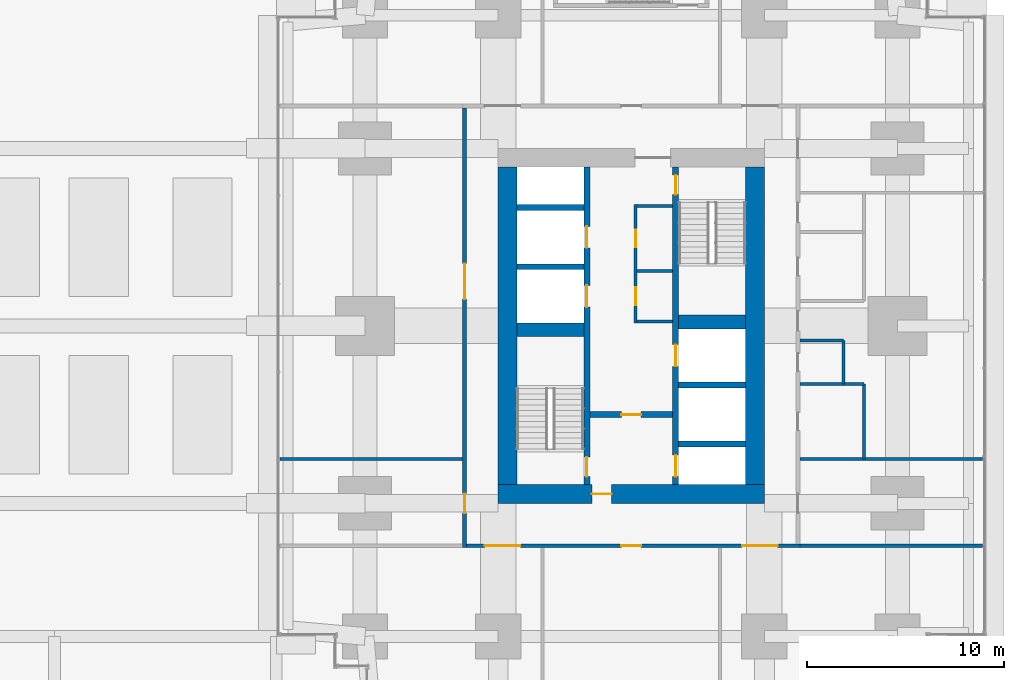
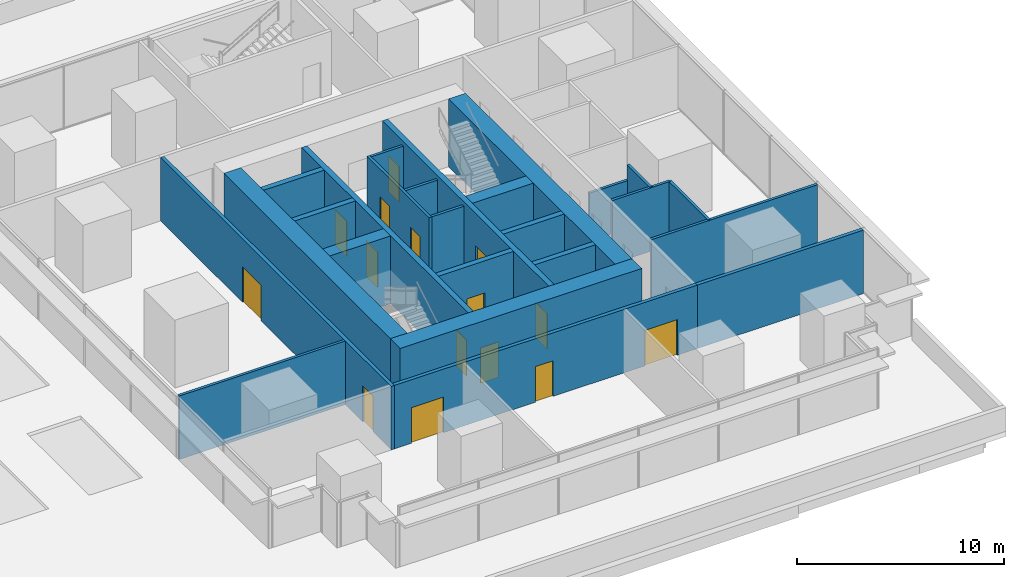
# One storey, part 29 of 34: 25 walls, 15 doors, 15 openings.
"""IFC4 building model written with IfcOpenShell, lengths in metres."""

from ifc_helpers import new_model, si_unit, direction, frame, frame_2d, origin, place, context, subcontext, project, spatial, rectangle, extrude, material, layer, layer_set, type_object, element, fill, save


model = new_model("IFC4")

# Units and contexts
model_context = context("Model", 3, precision=1e-05, world=origin(), true_north=direction((0.0, 1.0)))
body_context = subcontext(model_context, "Body", "Model", "MODEL_VIEW")
ifc_project = project(units=[si_unit("LENGTHUNIT", "METRE"), si_unit("AREAUNIT", "SQUARE_METRE"), si_unit("VOLUMEUNIT", "CUBIC_METRE"), si_unit("PLANEANGLEUNIT", "RADIAN"), si_unit("MASSUNIT", "GRAM", prefix="KILO")], contexts=[model_context])

# Site, building, storey
site_placement = place(None, origin())
site = spatial("IfcSite", under=ifc_project, at=site_placement, CompositionType="ELEMENT")
building_placement = place(site_placement, origin())
building = spatial("IfcBuilding", under=site, at=building_placement, Name="Namib Vertical Campus", CompositionType="ELEMENT")
storey_placement = place(building_placement, frame((0.0, 0.0, 21.0)))
storey = spatial("IfcBuildingStorey", under=building, at=storey_placement, Name="L04", CompositionType="ELEMENT", Elevation=21.0)

# Wall, openings, doors
ifc_material_1 = material(Name="Concrete C60/75", Category="concrete")
ifc_layer_1 = layer(ifc_material_1, 0.300048828125)
ifc_layer_set_1 = layer_set([ifc_layer_1], Name="Concrete C60/75")
wall_type_1 = type_object("IfcWallType", Name="Core inner wall 300", PredefinedType="SHEAR", material=ifc_layer_set_1)
wall_1_placement = place(storey_placement, frame((78.75, 12.199951171875, 0.0), z_axis=(0.0, 0.0, 1.0), x_axis=(0.0, 1.0, 0.0)))
wall_1 = element("IfcWall", 1, at=wall_1_placement, inside=storey, type_object=wall_type_1, Name="Core inner wall B L04 W1", PredefinedType="SHEAR", context=body_context, shape_type="SweptSolid", body=[
    extrude(rectangle(XDim=16.10009765625, YDim=0.300048828125, at=frame_2d((8.050048828125, 0.0))), origin(), (0.0, 0.0, 1.0), 4.0),
])
opening_1_placement = place(wall_1_placement, frame((0.39990234375, 0.0, 0.0)))
opening_1 = element("IfcOpeningElement", 2, at=opening_1_placement, cuts=wall_1, Name="Opening FD1", PredefinedType="OPENING", context=body_context, shape_type="SweptSolid", body=[
    extrude(rectangle(XDim=1.0, YDim=2.10009765625, at=frame_2d((0.5, 1.050048828125))), frame((0.0, 0.159912109375, 0.0), z_axis=(0.0, -1.0, 0.0), x_axis=(1.0, 0.0, 0.0)), (0.0, 0.0, 1.0), 0.320068359375),
])
opening_2_placement = place(wall_1_placement, frame((9.0, 0.0, 0.0)))
opening_2 = element("IfcOpeningElement", 3, at=opening_2_placement, cuts=wall_1, Name="Opening LD1", PredefinedType="OPENING", context=body_context, shape_type="SweptSolid", body=[
    extrude(rectangle(XDim=1.10009765625, YDim=2.10009765625, at=frame_2d((0.550048828125, 1.050048828125))), frame((0.0, 0.159912109375, 0.0), z_axis=(0.0, -1.0, 0.0), x_axis=(1.0, 0.0, 0.0)), (0.0, 0.0, 1.0), 0.320068359375),
])
opening_3_placement = place(wall_1_placement, frame((12.0, 0.0, 0.0)))
opening_3 = element("IfcOpeningElement", 4, at=opening_3_placement, cuts=wall_1, Name="Opening LD1", PredefinedType="OPENING", context=body_context, shape_type="SweptSolid", body=[
    extrude(rectangle(XDim=1.10009765625, YDim=2.10009765625, at=frame_2d((0.550048828125, 1.050048828125))), frame((0.0, 0.159912109375, 0.0), z_axis=(0.0, -1.0, 0.0), x_axis=(1.0, 0.0, 0.0)), (0.0, 0.0, 1.0), 0.320068359375),
])
ifc_material_2 = material(Name="Steel fire door", Category="steel")
door_type_1 = type_object("IfcDoorType", Name="Fire door 1000x2100", OperationType="SINGLE_SWING_RIGHT", PredefinedType="DOOR", material=ifc_material_2)
door_1_placement = place(opening_1_placement, origin())
door_1 = element("IfcDoor", 5, at=door_1_placement, inside=storey, type_object=door_type_1, Name="Stair door FD1 B L04 S1", OperationType="SINGLE_SWING_LEFT", OverallHeight=2.10009765625, OverallWidth=1.0, PredefinedType="DOOR", context=body_context, shape_type="SweptSolid", body=[
    extrude(rectangle(XDim=1.0, YDim=2.10009765625, at=frame_2d((0.5, 1.050048828125))), frame((0.0, 0.02490234375, 0.0), z_axis=(0.0, -1.0, 0.0), x_axis=(1.0, 0.0, 0.0)), (0.0, 0.0, 1.0), 0.050048828125),
])
fill(opening_1, door_1)
ifc_material_3 = material(Name="Stainless steel lift door", Category="steel")
door_type_2 = type_object("IfcDoorType", Name="Lift landing door 1100x2100", OperationType="DOUBLE_DOOR_SLIDING", PredefinedType="DOOR", material=ifc_material_3)
door_2_placement = place(opening_2_placement, origin())
door_2 = element("IfcDoor", 6, at=door_2_placement, inside=storey, type_object=door_type_2, Name="Lift landing door LD1 B-P1 L04", OperationType="DOUBLE_DOOR_SLIDING", OverallHeight=2.10009765625, OverallWidth=1.10009765625, PredefinedType="DOOR", context=body_context, shape_type="SweptSolid", body=[
    extrude(rectangle(XDim=1.10009765625, YDim=2.10009765625, at=frame_2d((0.550048828125, 1.050048828125))), frame((0.0, 0.02490234375, 0.0), z_axis=(0.0, -1.0, 0.0), x_axis=(1.0, 0.0, 0.0)), (0.0, 0.0, 1.0), 0.050048828125),
])
fill(opening_2, door_2)
door_3_placement = place(opening_3_placement, origin())
door_3 = element("IfcDoor", 7, at=door_3_placement, inside=storey, type_object=door_type_2, Name="Lift landing door LD1 B-P2 L04", OperationType="DOUBLE_DOOR_SLIDING", OverallHeight=2.10009765625, OverallWidth=1.10009765625, PredefinedType="DOOR", context=body_context, shape_type="SweptSolid", body=[
    extrude(rectangle(XDim=1.10009765625, YDim=2.10009765625, at=frame_2d((0.550048828125, 1.050048828125))), frame((0.0, 0.02490234375, 0.0), z_axis=(0.0, -1.0, 0.0), x_axis=(1.0, 0.0, 0.0)), (0.0, 0.0, 1.0), 0.050048828125),
])
fill(opening_3, door_3)

wall_2_placement = place(storey_placement, frame((83.25, 12.199951171875, 0.0), z_axis=(0.0, 0.0, 1.0), x_axis=(0.0, 1.0, 0.0)))
wall_2 = element("IfcWall", 8, at=wall_2_placement, inside=storey, type_object=wall_type_1, Name="Core inner wall B L04 W2", PredefinedType="SHEAR", context=body_context, shape_type="SweptSolid", body=[
    extrude(rectangle(XDim=16.10009765625, YDim=0.300048828125, at=frame_2d((8.050048828125, 0.0))), origin(), (0.0, 0.0, 1.0), 4.0),
])
opening_4_placement = place(wall_2_placement, frame((14.699951171875, 0.0, 0.0)))
opening_4 = element("IfcOpeningElement", 9, at=opening_4_placement, cuts=wall_2, Name="Opening FD1", PredefinedType="OPENING", context=body_context, shape_type="SweptSolid", body=[
    extrude(rectangle(XDim=1.0, YDim=2.10009765625, at=frame_2d((0.5, 1.050048828125))), frame((0.0, 0.159912109375, 0.0), z_axis=(0.0, -1.0, 0.0), x_axis=(1.0, 0.0, 0.0)), (0.0, 0.0, 1.0), 0.320068359375),
])
opening_5_placement = place(wall_2_placement, frame((0.39990234375, 0.0, 0.0)))
opening_5 = element("IfcOpeningElement", 10, at=opening_5_placement, cuts=wall_2, Name="Opening LD1", PredefinedType="OPENING", context=body_context, shape_type="SweptSolid", body=[
    extrude(rectangle(XDim=1.10009765625, YDim=2.10009765625, at=frame_2d((0.550048828125, 1.050048828125))), frame((0.0, 0.159912109375, 0.0), z_axis=(0.0, -1.0, 0.0), x_axis=(1.0, 0.0, 0.0)), (0.0, 0.0, 1.0), 0.320068359375),
])
opening_6_placement = place(wall_2_placement, frame((6.0, 0.0, 0.0)))
opening_6 = element("IfcOpeningElement", 11, at=opening_6_placement, cuts=wall_2, Name="Opening LD1", PredefinedType="OPENING", context=body_context, shape_type="SweptSolid", body=[
    extrude(rectangle(XDim=1.10009765625, YDim=2.10009765625, at=frame_2d((0.550048828125, 1.050048828125))), frame((0.0, 0.159912109375, 0.0), z_axis=(0.0, -1.0, 0.0), x_axis=(1.0, 0.0, 0.0)), (0.0, 0.0, 1.0), 0.320068359375),
])
door_4_placement = place(opening_4_placement, frame((1.0, 0.0, 0.0), z_axis=(0.0, 0.0, 1.0), x_axis=(-1.0, 0.0, 0.0)))
door_4 = element("IfcDoor", 12, at=door_4_placement, inside=storey, type_object=door_type_1, Name="Stair door FD1 B L04 S2", OperationType="SINGLE_SWING_LEFT", OverallHeight=2.10009765625, OverallWidth=1.0, PredefinedType="DOOR", context=body_context, shape_type="SweptSolid", body=[
    extrude(rectangle(XDim=1.0, YDim=2.10009765625, at=frame_2d((0.5, 1.050048828125))), frame((0.0, 0.02490234375, 0.0), z_axis=(0.0, -1.0, 0.0), x_axis=(1.0, 0.0, 0.0)), (0.0, 0.0, 1.0), 0.050048828125),
])
fill(opening_4, door_4)
door_5_placement = place(opening_5_placement, origin())
door_5 = element("IfcDoor", 13, at=door_5_placement, inside=storey, type_object=door_type_2, Name="Lift landing door LD1 B-FL1 L04", OperationType="DOUBLE_DOOR_SLIDING", OverallHeight=2.10009765625, OverallWidth=1.10009765625, PredefinedType="DOOR", context=body_context, shape_type="SweptSolid", body=[
    extrude(rectangle(XDim=1.10009765625, YDim=2.10009765625, at=frame_2d((0.550048828125, 1.050048828125))), frame((0.0, 0.02490234375, 0.0), z_axis=(0.0, -1.0, 0.0), x_axis=(1.0, 0.0, 0.0)), (0.0, 0.0, 1.0), 0.050048828125),
])
fill(opening_5, door_5)
door_6_placement = place(opening_6_placement, origin())
door_6 = element("IfcDoor", 14, at=door_6_placement, inside=storey, type_object=door_type_2, Name="Lift landing door LD1 B-P5 L04", OperationType="DOUBLE_DOOR_SLIDING", OverallHeight=2.10009765625, OverallWidth=1.10009765625, PredefinedType="DOOR", context=body_context, shape_type="SweptSolid", body=[
    extrude(rectangle(XDim=1.10009765625, YDim=2.10009765625, at=frame_2d((0.550048828125, 1.050048828125))), frame((0.0, 0.02490234375, 0.0), z_axis=(0.0, -1.0, 0.0), x_axis=(1.0, 0.0, 0.0)), (0.0, 0.0, 1.0), 0.050048828125),
])
fill(opening_6, door_6)

# Wall, opening, door
wall_3_placement = place(storey_placement, frame((78.89990234375, 15.75, 0.0), z_axis=(0.0, 0.0, 1.0), x_axis=(1.0, 0.0, 0.0)))
wall_3 = element("IfcWall", 15, at=wall_3_placement, inside=storey, type_object=wall_type_1, Name="Core inner wall B L04 W4", PredefinedType="SHEAR", context=body_context, shape_type="SweptSolid", body=[
    extrude(rectangle(XDim=4.2001953125, YDim=0.300048828125, at=frame_2d((2.10009765625, 0.0))), origin(), (0.0, 0.0, 1.0), 4.0),
])
opening_7_placement = place(wall_3_placement, frame((1.60009765625, 0.0, 0.0)))
opening_7 = element("IfcOpeningElement", 16, at=opening_7_placement, cuts=wall_3, Name="Opening FD5", PredefinedType="OPENING", context=body_context, shape_type="SweptSolid", body=[
    extrude(rectangle(XDim=1.0, YDim=2.10009765625, at=frame_2d((0.5, 1.050048828125))), frame((0.0, 0.159912109375, 0.0), z_axis=(0.0, -1.0, 0.0), x_axis=(1.0, 0.0, 0.0)), (0.0, 0.0, 1.0), 0.320068359375),
])
ifc_material_4 = material(Name="Steel fire door", Category="steel")
door_type_3 = type_object("IfcDoorType", Name="Fire door 1000x2100 120 min", OperationType="SINGLE_SWING_RIGHT", PredefinedType="DOOR", material=ifc_material_4)
door_7_placement = place(opening_7_placement, frame((1.0, 0.0, 0.0), z_axis=(0.0, 0.0, 1.0), x_axis=(-1.0, 0.0, 0.0)))
door_7 = element("IfcDoor", 17, at=door_7_placement, inside=storey, type_object=door_type_3, Name="Lobby door FD5 B L04", OperationType="SINGLE_SWING_RIGHT", OverallHeight=2.10009765625, OverallWidth=1.0, PredefinedType="DOOR", context=body_context, shape_type="SweptSolid", body=[
    extrude(rectangle(XDim=1.0, YDim=2.10009765625, at=frame_2d((0.5, 1.050048828125))), frame((0.0, 0.02490234375, 0.0), z_axis=(0.0, -1.0, 0.0), x_axis=(1.0, 0.0, 0.0)), (0.0, 0.0, 1.0), 0.050048828125),
])
fill(opening_7, door_7)

# Walls
for number, where, z_axis, x_axis, name in (
    (18, (83.39990234375, 14.25, 0.0), (0.0, 0.0, 1.0), (1.0, 0.0, 0.0), "Core inner wall B L04 W5"),
    (19, (83.39990234375, 17.25, 0.0), (0.0, 0.0, 1.0), (1.0, 0.0, 0.0), "Core inner wall B L04 W6"),
    (20, (75.199951171875, 23.25, 0.0), (0.0, 0.0, 1.0), (1.0, 0.0, 0.0), "Core inner wall B L04 W8"),
    (21, (75.199951171875, 26.25, 0.0), (0.0, 0.0, 1.0), (1.0, 0.0, 0.0), "Core inner wall B L04 W9"),
):
    element("IfcWall", number, at=place(storey_placement, frame(where, z_axis=z_axis, x_axis=x_axis)), inside=storey, type_object=wall_type_1, Name=name, PredefinedType="SHEAR", context=body_context, shape_type="SweptSolid", body=[
        extrude(rectangle(XDim=3.400146484375, YDim=0.300048828125, at=frame_2d((1.7001953125, 0.0))), origin(), (0.0, 0.0, 1.0), 4.0),
    ])
ifc_material_5 = material(Name="Concrete C60/75", Category="concrete")
ifc_layer_2 = layer(ifc_material_5, 0.699951171875)
ifc_layer_set_2 = layer_set([ifc_layer_2], Name="Concrete C60/75")
wall_type_2 = type_object("IfcWallType", Name="Core shear wall 700", PredefinedType="SHEAR", material=ifc_layer_set_2)
for number, where, z_axis, x_axis, name in (
    (22, (75.199951171875, 20.050048828125, 0.0), (0.0, 0.0, 1.0), (1.0, 0.0, 0.0), "Core shear wall B L04 W3"),
    (23, (83.39990234375, 20.449951171875, 0.0), (0.0, 0.0, 1.0), (1.0, 0.0, 0.0), "Core shear wall B L04 W7"),
):
    element("IfcWall", number, at=place(storey_placement, frame(where, z_axis=z_axis, x_axis=x_axis)), inside=storey, type_object=wall_type_2, Name=name, PredefinedType="SHEAR", context=body_context, shape_type="SweptSolid", body=[
        extrude(rectangle(XDim=3.400146484375, YDim=0.699951171875, at=frame_2d((1.7001953125, 0.0))), origin(), (0.0, 0.0, 1.0), 4.0),
    ])

# Wall, opening, door
ifc_material_6 = material(Name="Concrete C60/75", Category="concrete")
ifc_layer_3 = layer(ifc_material_6, 0.949951171875)
ifc_layer_set_3 = layer_set([ifc_layer_3], Name="Concrete C60/75")
wall_type_3 = type_object("IfcWallType", Name="Core wall 950", PredefinedType="SHEAR", material=ifc_layer_set_3)
wall_4_placement = place(storey_placement, frame((74.25, 11.72509765625, 0.0), z_axis=(0.0, 0.0, 1.0), x_axis=(1.0, 0.0, 0.0)))
wall_4 = element("IfcWall", 24, at=wall_4_placement, inside=storey, type_object=wall_type_3, Name="Core wall B L04 1", PredefinedType="SHEAR", context=body_context, shape_type="SweptSolid", body=[
    extrude(rectangle(XDim=13.5, YDim=0.949951171875, at=frame_2d((6.75, 0.0))), origin(), (0.0, 0.0, 1.0), 4.0),
])
opening_8_placement = place(wall_4_placement, frame((4.75, 0.0, 0.0)))
opening_8 = element("IfcOpeningElement", 25, at=opening_8_placement, cuts=wall_4, Name="Opening FD5", PredefinedType="OPENING", context=body_context, shape_type="SweptSolid", body=[
    extrude(rectangle(XDim=1.0, YDim=2.10009765625, at=frame_2d((0.5, 1.050048828125))), frame((0.0, 0.48486328125, 0.0), z_axis=(0.0, -1.0, 0.0), x_axis=(1.0, 0.0, 0.0)), (0.0, 0.0, 1.0), 0.969970703125),
])
door_8_placement = place(opening_8_placement, origin())
door_8 = element("IfcDoor", 26, at=door_8_placement, inside=storey, type_object=door_type_3, Name="Firefighting lobby door FD5 B L04", OperationType="SINGLE_SWING_LEFT", OverallHeight=2.10009765625, OverallWidth=1.0, PredefinedType="DOOR", context=body_context, shape_type="SweptSolid", body=[
    extrude(rectangle(XDim=1.0, YDim=2.10009765625, at=frame_2d((0.5, 1.050048828125))), frame((0.0, 0.02490234375, 0.0), z_axis=(0.0, -1.0, 0.0), x_axis=(1.0, 0.0, 0.0)), (0.0, 0.0, 1.0), 0.050048828125),
])
fill(opening_8, door_8)

# Walls
for number, where, z_axis, x_axis, name in (
    (27, (87.27490234375, 12.199951171875, 0.0), (0.0, 0.0, 1.0), (0.0, 1.0, 0.0), "Core wall B L04 2"),
    (28, (74.72509765625, 28.300048828125, 0.0), (0.0, 0.0, 1.0), (0.0, -1.0, 0.0), "Core wall B L04 4"),
):
    element("IfcWall", number, at=place(storey_placement, frame(where, z_axis=z_axis, x_axis=x_axis)), inside=storey, type_object=wall_type_3, Name=name, PredefinedType="SHEAR", context=body_context, shape_type="SweptSolid", body=[
        extrude(rectangle(XDim=16.10009765625, YDim=0.949951171875, at=frame_2d((8.050048828125, 0.0))), origin(), (0.0, 0.0, 1.0), 4.0),
    ])

# Wall, openings, doors
ifc_material_7 = material(Name="Concrete masonry", Category="masonry")
ifc_layer_4 = layer(ifc_material_7, 0.199951171875)
ifc_layer_set_4 = layer_set([ifc_layer_4], Name="Corridor wall 200")
wall_type_4 = type_object("IfcWallType", Name="Corridor wall 200", PredefinedType="SOLIDWALL", material=ifc_layer_set_4)
wall_5_placement = place(storey_placement, frame((72.64990234375, 9.10009765625, 0.0), z_axis=(0.0, 0.0, 1.0), x_axis=(1.0, 0.0, 0.0)))
wall_5 = element("IfcWall", 29, at=wall_5_placement, inside=storey, type_object=wall_type_4, Name="Corridor wall B L04 CS", PredefinedType="SOLIDWALL", context=body_context, shape_type="SweptSolid", body=[
    extrude(rectangle(XDim=16.900146484375, YDim=0.199951171875, at=frame_2d((8.4501953125, 0.0))), origin(), (0.0, 0.0, 1.0), 3.75),
])
opening_9_placement = place(wall_5_placement, frame((0.925048828125, 0.0, 0.0)))
opening_9 = element("IfcOpeningElement", 30, at=opening_9_placement, cuts=wall_5, Name="Opening CD2", PredefinedType="OPENING", context=body_context, shape_type="SweptSolid", body=[
    extrude(rectangle(XDim=1.800048828125, YDim=2.10009765625, at=frame_2d((0.89990234375, 1.050048828125))), frame((0.0, 0.10986328125, 0.0), z_axis=(0.0, -1.0, 0.0), x_axis=(1.0, 0.0, 0.0)), (0.0, 0.0, 1.0), 0.219970703125),
])
opening_10_placement = place(wall_5_placement, frame((7.85009765625, 0.0, 0.0)))
opening_10 = element("IfcOpeningElement", 31, at=opening_10_placement, cuts=wall_5, Name="Opening CD1", PredefinedType="OPENING", context=body_context, shape_type="SweptSolid", body=[
    extrude(rectangle(XDim=1.0, YDim=2.10009765625, at=frame_2d((0.5, 1.050048828125))), frame((0.0, 0.10986328125, 0.0), z_axis=(0.0, -1.0, 0.0), x_axis=(1.0, 0.0, 0.0)), (0.0, 0.0, 1.0), 0.219970703125),
])
opening_11_placement = place(wall_5_placement, frame((13.97509765625, 0.0, 0.0)))
opening_11 = element("IfcOpeningElement", 32, at=opening_11_placement, cuts=wall_5, Name="Opening CD2", PredefinedType="OPENING", context=body_context, shape_type="SweptSolid", body=[
    extrude(rectangle(XDim=1.800048828125, YDim=2.10009765625, at=frame_2d((0.89990234375, 1.050048828125))), frame((0.0, 0.10986328125, 0.0), z_axis=(0.0, -1.0, 0.0), x_axis=(1.0, 0.0, 0.0)), (0.0, 0.0, 1.0), 0.219970703125),
])
ifc_material_8 = material(Name="Timber fire door leaf", Category="wood")
door_type_4 = type_object("IfcDoorType", Name="Corridor door 1000x2100 20 min", OperationType="SINGLE_SWING_LEFT", PredefinedType="DOOR", material=ifc_material_8)
door_9_placement = place(opening_10_placement, frame((1.0, 0.0, 0.0), z_axis=(0.0, 0.0, 1.0), x_axis=(-1.0, 0.0, 0.0)))
door_9 = element("IfcDoor", 33, at=door_9_placement, inside=storey, type_object=door_type_4, Name="Door CD1 B04-02", OperationType="SINGLE_SWING_RIGHT", OverallHeight=2.10009765625, OverallWidth=1.0, PredefinedType="DOOR", context=body_context, shape_type="SweptSolid", body=[
    extrude(rectangle(XDim=1.0, YDim=2.10009765625, at=frame_2d((0.5, 1.050048828125))), frame((0.0, 0.02490234375, 0.0), z_axis=(0.0, -1.0, 0.0), x_axis=(1.0, 0.0, 0.0)), (0.0, 0.0, 1.0), 0.050048828125),
])
fill(opening_10, door_9)
ifc_material_9 = material(Name="Timber fire door leaf", Category="wood")
door_type_5 = type_object("IfcDoorType", Name="Corridor door double 1800x2100 20 min", OperationType="DOUBLE_DOOR_SINGLE_SWING", PredefinedType="DOOR", material=ifc_material_9)
door_10_placement = place(opening_9_placement, frame((1.800048828125, 0.0, 0.0), z_axis=(0.0, 0.0, 1.0), x_axis=(-1.0, 0.0, 0.0)))
door_10 = element("IfcDoor", 34, at=door_10_placement, inside=storey, type_object=door_type_5, Name="Door CD2 B04-01", OperationType="DOUBLE_DOOR_SINGLE_SWING", OverallHeight=2.10009765625, OverallWidth=1.800048828125, PredefinedType="DOOR", context=body_context, shape_type="SweptSolid", body=[
    extrude(rectangle(XDim=1.800048828125, YDim=2.10009765625, at=frame_2d((0.89990234375, 1.050048828125))), frame((0.0, 0.02490234375, 0.0), z_axis=(0.0, -1.0, 0.0), x_axis=(1.0, 0.0, 0.0)), (0.0, 0.0, 1.0), 0.050048828125),
])
fill(opening_9, door_10)
door_11_placement = place(opening_11_placement, frame((1.800048828125, 0.0, 0.0), z_axis=(0.0, 0.0, 1.0), x_axis=(-1.0, 0.0, 0.0)))
door_11 = element("IfcDoor", 35, at=door_11_placement, inside=storey, type_object=door_type_5, Name="Door CD2 B04-03", OperationType="DOUBLE_DOOR_SINGLE_SWING", OverallHeight=2.10009765625, OverallWidth=1.800048828125, PredefinedType="DOOR", context=body_context, shape_type="SweptSolid", body=[
    extrude(rectangle(XDim=1.800048828125, YDim=2.10009765625, at=frame_2d((0.89990234375, 1.050048828125))), frame((0.0, 0.02490234375, 0.0), z_axis=(0.0, -1.0, 0.0), x_axis=(1.0, 0.0, 0.0)), (0.0, 0.0, 1.0), 0.050048828125),
])
fill(opening_11, door_11)

wall_6_placement = place(storey_placement, frame((72.550048828125, 31.300048828125, 0.0), z_axis=(0.0, 0.0, 1.0), x_axis=(0.0, -1.0, 0.0)))
wall_6 = element("IfcWall", 36, at=wall_6_placement, inside=storey, type_object=wall_type_4, Name="Corridor wall B L04 CW", PredefinedType="SOLIDWALL", context=body_context, shape_type="SweptSolid", body=[
    extrude(rectangle(XDim=22.300048828125, YDim=0.199951171875, at=frame_2d((11.14990234375, 0.0))), origin(), (0.0, 0.0, 1.0), 3.75),
])
opening_12_placement = place(wall_6_placement, frame((19.550048828125, 0.0, 0.0)))
opening_12 = element("IfcOpeningElement", 37, at=opening_12_placement, cuts=wall_6, Name="Opening CD1", PredefinedType="OPENING", context=body_context, shape_type="SweptSolid", body=[
    extrude(rectangle(XDim=1.0, YDim=2.10009765625, at=frame_2d((0.5, 1.050048828125))), frame((0.0, 0.10986328125, 0.0), z_axis=(0.0, -1.0, 0.0), x_axis=(1.0, 0.0, 0.0)), (0.0, 0.0, 1.0), 0.219970703125),
])
opening_13_placement = place(wall_6_placement, frame((7.89990234375, 0.0, 0.0)))
opening_13 = element("IfcOpeningElement", 38, at=opening_13_placement, cuts=wall_6, Name="Opening CD2", PredefinedType="OPENING", context=body_context, shape_type="SweptSolid", body=[
    extrude(rectangle(XDim=1.800048828125, YDim=2.10009765625, at=frame_2d((0.89990234375, 1.050048828125))), frame((0.0, 0.10986328125, 0.0), z_axis=(0.0, -1.0, 0.0), x_axis=(1.0, 0.0, 0.0)), (0.0, 0.0, 1.0), 0.219970703125),
])
door_12_placement = place(opening_12_placement, frame((1.0, 0.0, 0.0), z_axis=(0.0, 0.0, 1.0), x_axis=(-1.0, 0.0, 0.0)))
door_12 = element("IfcDoor", 39, at=door_12_placement, inside=storey, type_object=door_type_4, Name="Door CD1 B04-14", OperationType="SINGLE_SWING_RIGHT", OverallHeight=2.10009765625, OverallWidth=1.0, PredefinedType="DOOR", context=body_context, shape_type="SweptSolid", body=[
    extrude(rectangle(XDim=1.0, YDim=2.10009765625, at=frame_2d((0.5, 1.050048828125))), frame((0.0, 0.02490234375, 0.0), z_axis=(0.0, -1.0, 0.0), x_axis=(1.0, 0.0, 0.0)), (0.0, 0.0, 1.0), 0.050048828125),
])
fill(opening_12, door_12)
door_13_placement = place(opening_13_placement, frame((1.800048828125, 0.0, 0.0), z_axis=(0.0, 0.0, 1.0), x_axis=(-1.0, 0.0, 0.0)))
door_13 = element("IfcDoor", 40, at=door_13_placement, inside=storey, type_object=door_type_5, Name="Door CD2 B04-15", OperationType="DOUBLE_DOOR_SINGLE_SWING", OverallHeight=2.10009765625, OverallWidth=1.800048828125, PredefinedType="DOOR", context=body_context, shape_type="SweptSolid", body=[
    extrude(rectangle(XDim=1.800048828125, YDim=2.10009765625, at=frame_2d((0.89990234375, 1.050048828125))), frame((0.0, 0.02490234375, 0.0), z_axis=(0.0, -1.0, 0.0), x_axis=(1.0, 0.0, 0.0)), (0.0, 0.0, 1.0), 0.050048828125),
])
fill(opening_13, door_13)

# Wall
wall_7_placement = place(storey_placement, frame((89.550048828125, 9.10009765625, 0.0), z_axis=(0.0, 0.0, 1.0), x_axis=(1.0, 0.0, 0.0)))
element("IfcWall", 41, at=wall_7_placement, inside=storey, type_object=wall_type_4, Name="Partition B L04 BSE", PredefinedType="SOLIDWALL", context=body_context, shape_type="SweptSolid", body=[
    extrude(rectangle(XDim=9.27001953125, YDim=0.199951171875, at=frame_2d((4.635009765625, 0.0))), origin(), (0.0, 0.0, 1.0), 3.75),
])

# Wall, openings, doors
ifc_material_10 = material(Name="Gypsum board on steel studs", Category="steel")
ifc_layer_5 = layer(ifc_material_10, 0.14990234375)
ifc_layer_set_5 = layer_set([ifc_layer_5], Name="Gypsum board on steel studs")
wall_type_5 = type_object("IfcWallType", Name="Partition 150", PredefinedType="PARTITIONING", material=ifc_layer_set_5)
wall_8_placement = place(storey_placement, frame((81.22509765625, 20.39990234375, 0.0), z_axis=(0.0, 0.0, 1.0), x_axis=(0.0, 1.0, 0.0)))
wall_8 = element("IfcWall", 42, at=wall_8_placement, inside=storey, type_object=wall_type_5, Name="Partition B L04 Comms room and Store front", PredefinedType="PARTITIONING", context=body_context, shape_type="SweptSolid", body=[
    extrude(rectangle(XDim=6.0, YDim=0.14990234375, at=frame_2d((3.0, 0.0))), origin(), (0.0, 0.0, 1.0), 3.75),
])
opening_14_placement = place(wall_8_placement, frame((0.89990234375, 0.0, 0.0)))
opening_14 = element("IfcOpeningElement", 43, at=opening_14_placement, cuts=wall_8, Name="Opening D3", PredefinedType="OPENING", context=body_context, shape_type="SweptSolid", body=[
    extrude(rectangle(XDim=0.89990234375, YDim=2.10009765625, at=frame_2d((0.449951171875, 1.050048828125))), frame((0.0, 0.0849609375, 0.0), z_axis=(0.0, -1.0, 0.0), x_axis=(1.0, 0.0, 0.0)), (0.0, 0.0, 1.0), 0.169921875),
])
opening_15_placement = place(wall_8_placement, frame((3.824951171875, 0.0, 0.0)))
opening_15 = element("IfcOpeningElement", 44, at=opening_15_placement, cuts=wall_8, Name="Opening D3", PredefinedType="OPENING", context=body_context, shape_type="SweptSolid", body=[
    extrude(rectangle(XDim=0.89990234375, YDim=2.10009765625, at=frame_2d((0.449951171875, 1.050048828125))), frame((0.0, 0.0849609375, 0.0), z_axis=(0.0, -1.0, 0.0), x_axis=(1.0, 0.0, 0.0)), (0.0, 0.0, 1.0), 0.169921875),
])
ifc_material_11 = material(Name="Timber door leaf", Category="wood")
door_type_6 = type_object("IfcDoorType", Name="Toilet door 900x2100", OperationType="SINGLE_SWING_LEFT", PredefinedType="DOOR", material=ifc_material_11)
door_14_placement = place(opening_14_placement, frame((0.89990234375, 0.0, 0.0), z_axis=(0.0, 0.0, 1.0), x_axis=(-1.0, 0.0, 0.0)))
door_14 = element("IfcDoor", 45, at=door_14_placement, inside=storey, type_object=door_type_6, Name="Door D3 Comms room B L04", OperationType="SINGLE_SWING_RIGHT", OverallHeight=2.10009765625, OverallWidth=0.89990234375, PredefinedType="DOOR", context=body_context, shape_type="SweptSolid", body=[
    extrude(rectangle(XDim=0.89990234375, YDim=2.10009765625, at=frame_2d((0.449951171875, 1.050048828125))), frame((0.0, 0.02490234375, 0.0), z_axis=(0.0, -1.0, 0.0), x_axis=(1.0, 0.0, 0.0)), (0.0, 0.0, 1.0), 0.050048828125),
])
fill(opening_14, door_14)
door_15_placement = place(opening_15_placement, frame((0.89990234375, 0.0, 0.0), z_axis=(0.0, 0.0, 1.0), x_axis=(-1.0, 0.0, 0.0)))
door_15 = element("IfcDoor", 46, at=door_15_placement, inside=storey, type_object=door_type_6, Name="Door D3 Store B L04", OperationType="SINGLE_SWING_RIGHT", OverallHeight=2.10009765625, OverallWidth=0.89990234375, PredefinedType="DOOR", context=body_context, shape_type="SweptSolid", body=[
    extrude(rectangle(XDim=0.89990234375, YDim=2.10009765625, at=frame_2d((0.449951171875, 1.050048828125))), frame((0.0, 0.02490234375, 0.0), z_axis=(0.0, -1.0, 0.0), x_axis=(1.0, 0.0, 0.0)), (0.0, 0.0, 1.0), 0.050048828125),
])
fill(opening_15, door_15)

# Walls
for number, where, z_axis, x_axis, name in (
    (47, (81.300048828125, 20.47509765625, 0.0), (0.0, 0.0, 1.0), (1.0, 0.0, 0.0), "Partition B L04 Comms room and Store end 1"),
    (48, (81.300048828125, 23.02490234375, 0.0), (0.0, 0.0, 1.0), (1.0, 0.0, 0.0), "Partition B L04 Comms room and Store division 2"),
    (49, (81.300048828125, 26.324951171875, 0.0), (0.0, 0.0, 1.0), (1.0, 0.0, 0.0), "Partition B L04 Comms room and Store end 3"),
):
    element("IfcWall", number, at=place(storey_placement, frame(where, z_axis=z_axis, x_axis=x_axis)), inside=storey, type_object=wall_type_5, Name=name, PredefinedType="PARTITIONING", context=body_context, shape_type="SweptSolid", body=[
        extrude(rectangle(XDim=1.800048828125, YDim=0.14990234375, at=frame_2d((0.89990234375, 0.0))), origin(), (0.0, 0.0, 1.0), 3.75),
    ])
for number, where, z_axis, x_axis, name in (
    (50, (89.550048828125, 13.5, 0.0), (0.0, 0.0, 1.0), (1.0, 0.0, 0.0), "Partition B L04 PE1"),
    (51, (63.179931640625, 13.5, 0.0), (0.0, 0.0, 1.0), (1.0, 0.0, 0.0), "Partition B L04 PW1"),
):
    element("IfcWall", number, at=place(storey_placement, frame(where, z_axis=z_axis, x_axis=x_axis)), inside=storey, type_object=wall_type_5, Name=name, PredefinedType="PARTITIONING", context=body_context, shape_type="SweptSolid", body=[
        extrude(rectangle(XDim=9.27001953125, YDim=0.14990234375, at=frame_2d((4.635009765625, 0.0))), origin(), (0.0, 0.0, 1.0), 3.75),
    ])
wall_9_placement = place(storey_placement, frame((89.550048828125, 17.300048828125, 0.0), z_axis=(0.0, 0.0, 1.0), x_axis=(1.0, 0.0, 0.0)))
element("IfcWall", 52, at=wall_9_placement, inside=storey, type_object=wall_type_5, Name="Partition B L04 WR1", PredefinedType="PARTITIONING", context=body_context, shape_type="SweptSolid", body=[
    extrude(rectangle(XDim=3.25, YDim=0.14990234375, at=frame_2d((1.625, 0.0))), origin(), (0.0, 0.0, 1.0), 3.75),
])
wall_10_placement = place(storey_placement, frame((89.550048828125, 19.5, 0.0), z_axis=(0.0, 0.0, 1.0), x_axis=(1.0, 0.0, 0.0)))
element("IfcWall", 53, at=wall_10_placement, inside=storey, type_object=wall_type_5, Name="Partition B L04 WR2", PredefinedType="PARTITIONING", context=body_context, shape_type="SweptSolid", body=[
    extrude(rectangle(XDim=2.199951171875, YDim=0.14990234375, at=frame_2d((1.10009765625, 0.0))), origin(), (0.0, 0.0, 1.0), 2.85009765625),
])
wall_11_placement = place(storey_placement, frame((92.800048828125, 13.5, 0.0), z_axis=(0.0, 0.0, 1.0), x_axis=(0.0, 1.0, 0.0)))
element("IfcWall", 54, at=wall_11_placement, inside=storey, type_object=wall_type_5, Name="Partition B L04 WB1", PredefinedType="PARTITIONING", context=body_context, shape_type="SweptSolid", body=[
    extrude(rectangle(XDim=3.800048828125, YDim=0.14990234375, at=frame_2d((1.89990234375, 0.0))), origin(), (0.0, 0.0, 1.0), 3.75),
])
wall_12_placement = place(storey_placement, frame((91.75, 17.300048828125, 0.0), z_axis=(0.0, 0.0, 1.0), x_axis=(0.0, 1.0, 0.0)))
element("IfcWall", 55, at=wall_12_placement, inside=storey, type_object=wall_type_5, Name="Partition B L04 WB2", PredefinedType="PARTITIONING", context=body_context, shape_type="SweptSolid", body=[
    extrude(rectangle(XDim=2.199951171875, YDim=0.14990234375, at=frame_2d((1.10009765625, 0.0))), origin(), (0.0, 0.0, 1.0), 3.75),
])

save(model, "model.ifc")
